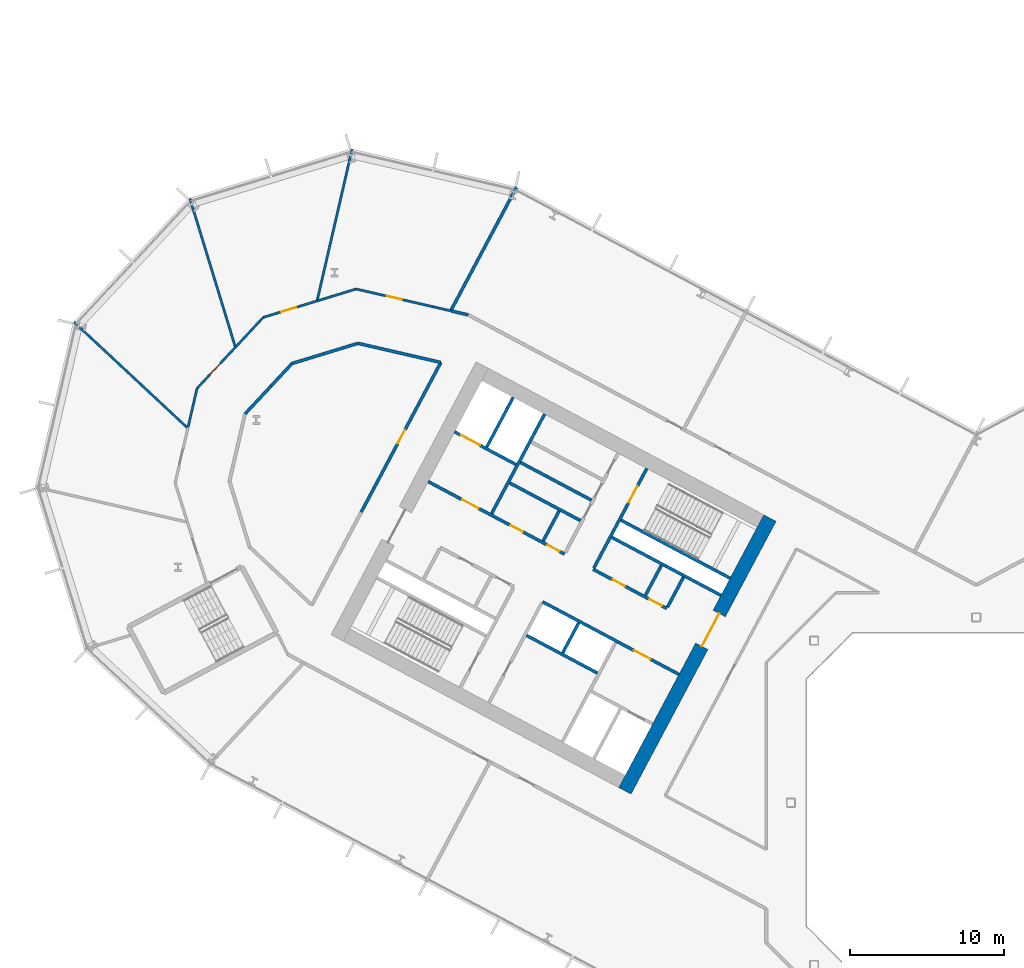
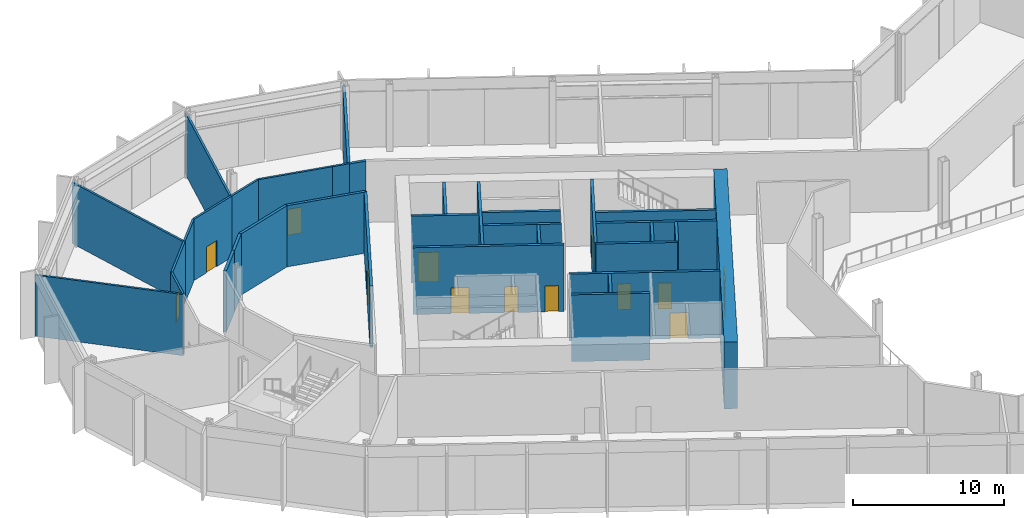
# One storey, part 13 of 30: 34 walls, 13 doors, 13 openings.
"""IFC4 building model written with IfcOpenShell, lengths in metres."""

from ifc_helpers import new_model, si_unit, direction, frame, frame_2d, origin, place, context, subcontext, project, spatial, rectangle, extrude, material, layer, layer_set, type_object, element, fill, save


model = new_model("IFC4")

# Units and contexts
model_context = context("Model", 3, precision=1e-05, world=origin(), true_north=direction((0.0, 1.0)))
body_context = subcontext(model_context, "Body", "Model", "MODEL_VIEW")
ifc_project = project(units=[si_unit("LENGTHUNIT", "METRE"), si_unit("AREAUNIT", "SQUARE_METRE"), si_unit("VOLUMEUNIT", "CUBIC_METRE"), si_unit("PLANEANGLEUNIT", "RADIAN"), si_unit("MASSUNIT", "GRAM", prefix="KILO")], contexts=[model_context])

# Site, building, storey
site_placement = place(None, origin())
site = spatial("IfcSite", under=ifc_project, at=site_placement, CompositionType="ELEMENT")
building_placement = place(site_placement, origin())
building = spatial("IfcBuilding", under=site, at=building_placement, Name="Cormorant Relay Tower", CompositionType="ELEMENT")
storey_placement = place(building_placement, frame((0.0, 0.0, 44.60009765625)))
storey = spatial("IfcBuildingStorey", under=building, at=storey_placement, Name="L08", CompositionType="ELEMENT", Elevation=44.60009765625)

# Walls
ifc_material_1 = material(Name="Concrete 40 MPa", Category="concrete")
ifc_layer_1 = layer(ifc_material_1, 0.199951171875)
ifc_layer_set_1 = layer_set([ifc_layer_1], Name="Core internal wall 200")
wall_type_1 = type_object("IfcWallType", Name="Core internal wall 200", PredefinedType="SOLIDWALL", material=ifc_layer_set_1)
wall_1_placement = place(storey_placement, frame((-20.39013671875, 15.371826171875, 0.0), z_axis=(0.0, 0.0, 1.0), x_axis=(-0.4694473164, -0.882960484464, 0.0)))
element("IfcWall", 1, at=wall_1_placement, inside=storey, type_object=wall_type_1, Name="L08 core A shaft and room wall", PredefinedType="SOLIDWALL", context=body_context, shape_type="SweptSolid", body=[
    extrude(rectangle(XDim=2.199951171875, YDim=0.199951171875, at=frame_2d((1.10009765625, 0.0))), origin(), (0.0, 0.0, 1.0), 5.39990234375),
])
wall_2_placement = place(storey_placement, frame((-25.744140625, 11.64990234375, 0.0), z_axis=(0.0, 0.0, 1.0), x_axis=(-0.469487830541, -0.882938942948, 0.0)))
element("IfcWall", 2, at=wall_2_placement, inside=storey, type_object=wall_type_1, Name="L08 core A shaft and room wall", PredefinedType="SOLIDWALL", context=body_context, shape_type="SweptSolid", body=[
    extrude(rectangle(XDim=2.2001953125, YDim=0.199951171875, at=frame_2d((1.10009765625, 0.0))), origin(), (0.0, 0.0, 1.0), 5.39990234375),
])
wall_3_placement = place(storey_placement, frame((-27.01220703125, 18.892822265625, 0.0), z_axis=(0.0, 0.0, 1.0), x_axis=(-0.4694473164, -0.882960484464, 0.0)))
element("IfcWall", 3, at=wall_3_placement, inside=storey, type_object=wall_type_1, Name="L08 core A shaft and room wall", PredefinedType="SOLIDWALL", context=body_context, shape_type="SweptSolid", body=[
    extrude(rectangle(XDim=2.199951171875, YDim=0.199951171875, at=frame_2d((1.10009765625, 0.0))), origin(), (0.0, 0.0, 1.0), 5.39990234375),
])
wall_4_placement = place(storey_placement, frame((-24.9189453125, 19.592041015625, 0.0), z_axis=(0.0, 0.0, 1.0), x_axis=(-0.882953967957, 0.469459572775, 0.0)))
element("IfcWall", 4, at=wall_4_placement, inside=storey, type_object=wall_type_1, Name="L08 core A shaft and room wall", PredefinedType="SOLIDWALL", context=body_context, shape_type="SweptSolid", body=[
    extrude(rectangle(XDim=5.199951171875, YDim=0.199951171875, at=frame_2d((2.60009765625, 0.0))), origin(), (0.0, 0.0, 1.0), 5.39990234375),
])
ifc_material_2 = material(Name="Concrete 50 MPa", Category="concrete")
ifc_layer_2 = layer(ifc_material_2, 0.199951171875)
ifc_layer_set_2 = layer_set([ifc_layer_2], Name="Core shaft wall 200")
wall_type_2 = type_object("IfcWallType", Name="Core shaft wall 200", PredefinedType="SHEAR", material=ifc_layer_set_2)
wall_5_placement = place(storey_placement, frame((-18.959716796875, 14.611328125, 0.0), z_axis=(0.0, 0.0, 1.0), x_axis=(-0.4694473164, -0.882960484464, 0.0)))
element("IfcWall", 5, at=wall_5_placement, inside=storey, type_object=wall_type_2, Name="L08 core A shaft wall", PredefinedType="SHEAR", context=body_context, shape_type="SweptSolid", body=[
    extrude(rectangle(XDim=2.199951171875, YDim=0.199951171875, at=frame_2d((1.10009765625, 0.0))), origin(), (0.0, 0.0, 1.0), 5.39990234375),
])

# Wall, opening, door
wall_6_placement = place(storey_placement, frame((-21.333251953125, 21.6494140625, 0.0), z_axis=(0.0, 0.0, 1.0), x_axis=(-0.469494272526, -0.882935517501, 0.0)))
wall_6 = element("IfcWall", 6, at=wall_6_placement, inside=storey, type_object=wall_type_2, Name="L08 core A shaft wall", PredefinedType="SHEAR", context=body_context, shape_type="SweptSolid", body=[
    extrude(rectangle(XDim=7.2998046875, YDim=0.199951171875, at=frame_2d((3.64990234375, 0.0))), origin(), (0.0, 0.0, 1.0), 5.39990234375),
])
opening_1_placement = place(wall_6_placement, frame((1.300048828125, 0.0, 0.0)))
opening_1 = element("IfcOpeningElement", 7, at=opening_1_placement, cuts=wall_6, Name="Opening CDB-019", PredefinedType="OPENING", context=body_context, shape_type="SweptSolid", body=[
    extrude(rectangle(XDim=1.199951171875, YDim=2.10009765625, at=frame_2d((0.60009765625, 1.050048828125))), frame((0.0, 0.10986328125, 0.0), z_axis=(0.0, -1.0, 0.0), x_axis=(1.0, 0.0, 0.0)), (0.0, 0.0, 1.0), 0.219970703125),
])
ifc_material_3 = material(Name="Steel fire door", Category="steel")
door_type_1 = type_object("IfcDoorType", Name="Core stair door 1200x2100", OperationType="SINGLE_SWING_LEFT", PredefinedType="DOOR", material=ifc_material_3)
door_1_placement = place(opening_1_placement, origin())
door_1 = element("IfcDoor", 8, at=door_1_placement, inside=storey, type_object=door_type_1, Name="Core stair door 1200x2100", OperationType="SINGLE_SWING_RIGHT", OverallHeight=2.10009765625, OverallWidth=1.199951171875, PredefinedType="DOOR", context=body_context, shape_type="SweptSolid", body=[
    extrude(rectangle(XDim=1.199951171875, YDim=2.10009765625, at=frame_2d((0.60009765625, 1.050048828125))), frame((0.0, 0.02490234375, 0.0), z_axis=(0.0, -1.0, 0.0), x_axis=(1.0, 0.0, 0.0)), (0.0, 0.0, 1.0), 0.050048828125),
])
fill(opening_1, door_1)

# Walls
wall_7_placement = place(storey_placement, frame((-27.955322265625, 25.170654296875, 0.0), z_axis=(0.0, 0.0, 1.0), x_axis=(-0.469480409012, -0.88294288918, 0.0)))
element("IfcWall", 9, at=wall_7_placement, inside=storey, type_object=wall_type_2, Name="L08 core A shaft wall", PredefinedType="SHEAR", context=body_context, shape_type="SweptSolid", body=[
    extrude(rectangle(XDim=7.300048828125, YDim=0.199951171875, at=frame_2d((3.64990234375, 0.0))), origin(), (0.0, 0.0, 1.0), 5.39990234375),
])
wall_8_placement = place(storey_placement, frame((-29.986083984375, 26.250244140625, 0.0), z_axis=(0.0, 0.0, 1.0), x_axis=(-0.469494272526, -0.882935517501, 0.0)))
element("IfcWall", 10, at=wall_8_placement, inside=storey, type_object=wall_type_2, Name="L08 core A shaft wall", PredefinedType="SHEAR", context=body_context, shape_type="SweptSolid", body=[
    extrude(rectangle(XDim=3.64990234375, YDim=0.199951171875, at=frame_2d((1.824951171875, 0.0))), origin(), (0.0, 0.0, 1.0), 5.39990234375),
])
wall_9_placement = place(storey_placement, frame((-15.94189453125, 14.53564453125, 0.0), z_axis=(0.0, 0.0, 1.0), x_axis=(-0.882946947542, 0.469472776449, 0.0)))
element("IfcWall", 11, at=wall_9_placement, inside=storey, type_object=wall_type_2, Name="L08 core A shaft wall", PredefinedType="SHEAR", context=body_context, shape_type="SweptSolid", body=[
    extrude(rectangle(XDim=8.000244140625, YDim=0.199951171875, at=frame_2d((4.0, 0.0))), origin(), (0.0, 0.0, 1.0), 5.39990234375),
])

# Wall, opening, door
wall_10_placement = place(storey_placement, frame((-29.80419921875, 21.906494140625, 0.0), z_axis=(0.0, 0.0, 1.0), x_axis=(-0.882960433586, 0.469447412093, 0.0)))
wall_10 = element("IfcWall", 12, at=wall_10_placement, inside=storey, type_object=wall_type_2, Name="L08 core A shaft wall", PredefinedType="SHEAR", context=body_context, shape_type="SweptSolid", body=[
    extrude(rectangle(XDim=4.5, YDim=0.199951171875, at=frame_2d((2.25, 0.0))), origin(), (0.0, 0.0, 1.0), 5.39990234375),
])
opening_2_placement = place(wall_10_placement, frame((2.64990234375, 0.0, 0.0)))
opening_2 = element("IfcOpeningElement", 13, at=opening_2_placement, cuts=wall_10, Name="Opening LD3-007", PredefinedType="OPENING", context=body_context, shape_type="SweptSolid", body=[
    extrude(rectangle(XDim=1.39990234375, YDim=2.39990234375, at=frame_2d((0.699951171875, 1.199951171875))), frame((0.0, 0.10986328125, 0.0), z_axis=(0.0, -1.0, 0.0), x_axis=(1.0, 0.0, 0.0)), (0.0, 0.0, 1.0), 0.219970703125),
])
ifc_material_4 = material(Name="Stainless steel 316", Category="steel")
door_type_2 = type_object("IfcDoorType", Name="Lift landing door 1400x2400", OperationType="DOUBLE_DOOR_SLIDING", PredefinedType="DOOR", material=ifc_material_4)
door_2_placement = place(opening_2_placement, origin())
door_2 = element("IfcDoor", 14, at=door_2_placement, inside=storey, type_object=door_type_2, Name="SV1 landing door", OperationType="DOUBLE_DOOR_SLIDING", OverallHeight=2.39990234375, OverallWidth=1.39990234375, PredefinedType="DOOR", context=body_context, shape_type="SweptSolid", body=[
    extrude(rectangle(XDim=1.39990234375, YDim=2.39990234375, at=frame_2d((0.699951171875, 1.199951171875))), frame((0.0, 0.02490234375, 0.0), z_axis=(0.0, -1.0, 0.0), x_axis=(1.0, 0.0, 0.0)), (0.0, 0.0, 1.0), 0.050048828125),
])
fill(opening_2, door_2)

# Walls
wall_11_placement = place(storey_placement, frame((-16.52880859375, 13.43212890625, 0.0), z_axis=(0.0, 0.0, 1.0), x_axis=(-0.88295287151, 0.469461634952, 0.0)))
element("IfcWall", 15, at=wall_11_placement, inside=storey, type_object=wall_type_2, Name="L08 core A shaft wall", PredefinedType="SHEAR", context=body_context, shape_type="SweptSolid", body=[
    extrude(rectangle(XDim=7.999755859375, YDim=0.199951171875, at=frame_2d((4.0, 0.0))), origin(), (0.0, 0.0, 1.0), 5.39990234375),
])
wall_12_placement = place(storey_placement, frame((-25.623046875, 18.267578125, 0.0), z_axis=(0.0, 0.0, 1.0), x_axis=(-0.882953967957, 0.469459572775, 0.0)))
element("IfcWall", 16, at=wall_12_placement, inside=storey, type_object=wall_type_2, Name="L08 core A shaft wall", PredefinedType="SHEAR", context=body_context, shape_type="SweptSolid", body=[
    extrude(rectangle(XDim=5.199951171875, YDim=0.199951171875, at=frame_2d((2.60009765625, 0.0))), origin(), (0.0, 0.0, 1.0), 5.39990234375),
])

# Wall, openings, doors
wall_13_placement = place(storey_placement, frame((-20.03955078125, 12.58056640625, 0.0), z_axis=(0.0, 0.0, 1.0), x_axis=(-0.882942972946, 0.469480251476, 0.0)))
wall_13 = element("IfcWall", 17, at=wall_13_placement, inside=storey, type_object=wall_type_2, Name="L08 core A shaft wall", PredefinedType="SHEAR", context=body_context, shape_type="SweptSolid", body=[
    extrude(rectangle(XDim=5.39990234375, YDim=0.199951171875, at=frame_2d((2.699951171875, 0.0))), origin(), (0.0, 0.0, 1.0), 5.39990234375),
])
opening_3_placement = place(wall_13_placement, frame((0.360107421875, 0.0, 0.0)))
opening_3 = element("IfcOpeningElement", 18, at=opening_3_placement, cuts=wall_13, Name="Opening CDD-065", PredefinedType="OPENING", context=body_context, shape_type="SweptSolid", body=[
    extrude(rectangle(XDim=0.89990234375, YDim=2.10009765625, at=frame_2d((0.449951171875, 1.050048828125))), frame((0.0, 0.10986328125, 0.0), z_axis=(0.0, -1.0, 0.0), x_axis=(1.0, 0.0, 0.0)), (0.0, 0.0, 1.0), 0.219970703125),
])
opening_4_placement = place(wall_13_placement, frame((3.06005859375, 0.0, 0.0)))
opening_4 = element("IfcOpeningElement", 19, at=opening_4_placement, cuts=wall_13, Name="Opening CDD-066", PredefinedType="OPENING", context=body_context, shape_type="SweptSolid", body=[
    extrude(rectangle(XDim=0.89990234375, YDim=2.10009765625, at=frame_2d((0.449951171875, 1.050048828125))), frame((0.0, 0.10986328125, 0.0), z_axis=(0.0, -1.0, 0.0), x_axis=(1.0, 0.0, 0.0)), (0.0, 0.0, 1.0), 0.219970703125),
])
ifc_material_5 = material(Name="Steel fire door", Category="steel")
door_type_3 = type_object("IfcDoorType", Name="Core room door 900x2100", OperationType="SINGLE_SWING_LEFT", PredefinedType="DOOR", material=ifc_material_5)
door_3_placement = place(opening_3_placement, frame((0.89990234375, 0.0, 0.0), z_axis=(0.0, 0.0, 1.0), x_axis=(-1.0, 0.0, 0.0)))
door_3 = element("IfcDoor", 20, at=door_3_placement, inside=storey, type_object=door_type_3, Name="Core room door 900x2100", OperationType="SINGLE_SWING_RIGHT", OverallHeight=2.10009765625, OverallWidth=0.89990234375, PredefinedType="DOOR", context=body_context, shape_type="SweptSolid", body=[
    extrude(rectangle(XDim=0.89990234375, YDim=2.10009765625, at=frame_2d((0.449951171875, 1.050048828125))), frame((0.0, 0.02490234375, 0.0), z_axis=(0.0, -1.0, 0.0), x_axis=(1.0, 0.0, 0.0)), (0.0, 0.0, 1.0), 0.050048828125),
])
fill(opening_3, door_3)
door_4_placement = place(opening_4_placement, frame((0.89990234375, 0.0, 0.0), z_axis=(0.0, 0.0, 1.0), x_axis=(-1.0, 0.0, 0.0)))
door_4 = element("IfcDoor", 21, at=door_4_placement, inside=storey, type_object=door_type_3, Name="Core room door 900x2100", OperationType="SINGLE_SWING_RIGHT", OverallHeight=2.10009765625, OverallWidth=0.89990234375, PredefinedType="DOOR", context=body_context, shape_type="SweptSolid", body=[
    extrude(rectangle(XDim=0.89990234375, YDim=2.10009765625, at=frame_2d((0.449951171875, 1.050048828125))), frame((0.0, 0.02490234375, 0.0), z_axis=(0.0, -1.0, 0.0), x_axis=(1.0, 0.0, 0.0)), (0.0, 0.0, 1.0), 0.050048828125),
])
fill(opening_4, door_4)

wall_14_placement = place(storey_placement, frame((-26.66162109375, 16.1015625, 0.0), z_axis=(0.0, 0.0, 1.0), x_axis=(-0.882940221191, 0.469485426614, 0.0)))
wall_14 = element("IfcWall", 22, at=wall_14_placement, inside=storey, type_object=wall_type_2, Name="L08 core A shaft wall", PredefinedType="SHEAR", context=body_context, shape_type="SweptSolid", body=[
    extrude(rectangle(XDim=10.0, YDim=0.199951171875, at=frame_2d((5.0, 0.0))), origin(), (0.0, 0.0, 1.0), 5.39990234375),
])
opening_5_placement = place(wall_14_placement, frame((6.300048828125, 0.0, 0.0)))
opening_5 = element("IfcOpeningElement", 23, at=opening_5_placement, cuts=wall_14, Name="Opening CDC-014", PredefinedType="OPENING", context=body_context, shape_type="SweptSolid", body=[
    extrude(rectangle(XDim=1.199951171875, YDim=2.10009765625, at=frame_2d((0.60009765625, 1.050048828125))), frame((0.0, 0.10986328125, 0.0), z_axis=(0.0, -1.0, 0.0), x_axis=(1.0, 0.0, 0.0)), (0.0, 0.0, 1.0), 0.219970703125),
])
opening_6_placement = place(wall_14_placement, frame((0.360107421875, 0.0, 0.0)))
opening_6 = element("IfcOpeningElement", 24, at=opening_6_placement, cuts=wall_14, Name="Opening CDD-095", PredefinedType="OPENING", context=body_context, shape_type="SweptSolid", body=[
    extrude(rectangle(XDim=0.89990234375, YDim=2.10009765625, at=frame_2d((0.449951171875, 1.050048828125))), frame((0.0, 0.10986328125, 0.0), z_axis=(0.0, -1.0, 0.0), x_axis=(1.0, 0.0, 0.0)), (0.0, 0.0, 1.0), 0.219970703125),
])
opening_7_placement = place(wall_14_placement, frame((3.06005859375, 0.0, 0.0)))
opening_7 = element("IfcOpeningElement", 25, at=opening_7_placement, cuts=wall_14, Name="Opening CDD-068", PredefinedType="OPENING", context=body_context, shape_type="SweptSolid", body=[
    extrude(rectangle(XDim=0.89990234375, YDim=2.10009765625, at=frame_2d((0.449951171875, 1.050048828125))), frame((0.0, 0.10986328125, 0.0), z_axis=(0.0, -1.0, 0.0), x_axis=(1.0, 0.0, 0.0)), (0.0, 0.0, 1.0), 0.219970703125),
])
ifc_material_6 = material(Name="Steel fire door", Category="steel")
door_type_4 = type_object("IfcDoorType", Name="Core lobby door 1200x2100", OperationType="SINGLE_SWING_LEFT", PredefinedType="DOOR", material=ifc_material_6)
door_5_placement = place(opening_5_placement, origin())
door_5 = element("IfcDoor", 26, at=door_5_placement, inside=storey, type_object=door_type_4, Name="Core lobby door 1200x2100", OperationType="SINGLE_SWING_LEFT", OverallHeight=2.10009765625, OverallWidth=1.199951171875, PredefinedType="DOOR", context=body_context, shape_type="SweptSolid", body=[
    extrude(rectangle(XDim=1.199951171875, YDim=2.10009765625, at=frame_2d((0.60009765625, 1.050048828125))), frame((0.0, 0.02490234375, 0.0), z_axis=(0.0, -1.0, 0.0), x_axis=(1.0, 0.0, 0.0)), (0.0, 0.0, 1.0), 0.050048828125),
])
fill(opening_5, door_5)
door_6_placement = place(opening_6_placement, frame((0.89990234375, 0.0, 0.0), z_axis=(0.0, 0.0, 1.0), x_axis=(-1.0, 0.0, 0.0)))
door_6 = element("IfcDoor", 27, at=door_6_placement, inside=storey, type_object=door_type_3, Name="Core room door 900x2100", OperationType="SINGLE_SWING_RIGHT", OverallHeight=2.10009765625, OverallWidth=0.89990234375, PredefinedType="DOOR", context=body_context, shape_type="SweptSolid", body=[
    extrude(rectangle(XDim=0.89990234375, YDim=2.10009765625, at=frame_2d((0.449951171875, 1.050048828125))), frame((0.0, 0.02490234375, 0.0), z_axis=(0.0, -1.0, 0.0), x_axis=(1.0, 0.0, 0.0)), (0.0, 0.0, 1.0), 0.050048828125),
])
fill(opening_6, door_6)
door_7_placement = place(opening_7_placement, frame((0.89990234375, 0.0, 0.0), z_axis=(0.0, 0.0, 1.0), x_axis=(-1.0, 0.0, 0.0)))
door_7 = element("IfcDoor", 28, at=door_7_placement, inside=storey, type_object=door_type_3, Name="Core room door 900x2100", OperationType="SINGLE_SWING_RIGHT", OverallHeight=2.10009765625, OverallWidth=0.89990234375, PredefinedType="DOOR", context=body_context, shape_type="SweptSolid", body=[
    extrude(rectangle(XDim=0.89990234375, YDim=2.10009765625, at=frame_2d((0.449951171875, 1.050048828125))), frame((0.0, 0.02490234375, 0.0), z_axis=(0.0, -1.0, 0.0), x_axis=(1.0, 0.0, 0.0)), (0.0, 0.0, 1.0), 0.050048828125),
])
fill(opening_7, door_7)

# Wall, opening, door
wall_15_placement = place(storey_placement, frame((-19.251708984375, 8.31103515625, 0.0), z_axis=(0.0, 0.0, 1.0), x_axis=(-0.882955722218, 0.469456273365, 0.0)))
wall_15 = element("IfcWall", 29, at=wall_15_placement, inside=storey, type_object=wall_type_2, Name="L08 core A shaft wall", PredefinedType="SHEAR", context=body_context, shape_type="SweptSolid", body=[
    extrude(rectangle(XDim=10.0, YDim=0.199951171875, at=frame_2d((5.0, 0.0))), origin(), (0.0, 0.0, 1.0), 5.39990234375),
])
opening_8_placement = place(wall_15_placement, frame((2.10009765625, 0.0, 0.0)))
opening_8 = element("IfcOpeningElement", 30, at=opening_8_placement, cuts=wall_15, Name="Opening CDC-013", PredefinedType="OPENING", context=body_context, shape_type="SweptSolid", body=[
    extrude(rectangle(XDim=1.199951171875, YDim=2.10009765625, at=frame_2d((0.60009765625, 1.050048828125))), frame((0.0, 0.10986328125, 0.0), z_axis=(0.0, -1.0, 0.0), x_axis=(1.0, 0.0, 0.0)), (0.0, 0.0, 1.0), 0.219970703125),
])
door_8_placement = place(opening_8_placement, origin())
door_8 = element("IfcDoor", 31, at=door_8_placement, inside=storey, type_object=door_type_4, Name="Core lobby door 1200x2100", OperationType="SINGLE_SWING_RIGHT", OverallHeight=2.10009765625, OverallWidth=1.199951171875, PredefinedType="DOOR", context=body_context, shape_type="SweptSolid", body=[
    extrude(rectangle(XDim=1.199951171875, YDim=2.10009765625, at=frame_2d((0.60009765625, 1.050048828125))), frame((0.0, 0.02490234375, 0.0), z_axis=(0.0, -1.0, 0.0), x_axis=(1.0, 0.0, 0.0)), (0.0, 0.0, 1.0), 0.050048828125),
])
fill(opening_8, door_8)

# Wall
wall_16_placement = place(storey_placement, frame((-24.5283203125, 8.3984375, 0.0), z_axis=(0.0, 0.0, 1.0), x_axis=(-0.882953967957, 0.469459572775, 0.0)))
element("IfcWall", 32, at=wall_16_placement, inside=storey, type_object=wall_type_2, Name="L08 core A shaft wall", PredefinedType="SHEAR", context=body_context, shape_type="SweptSolid", body=[
    extrude(rectangle(XDim=5.199951171875, YDim=0.199951171875, at=frame_2d((2.60009765625, 0.0))), origin(), (0.0, 0.0, 1.0), 5.39990234375),
])

# Wall, opening, door
ifc_material_7 = material(Name="Concrete 70 MPa", Category="concrete")
ifc_layer_3 = layer(ifc_material_7, 0.89990234375)
ifc_layer_set_3 = layer_set([ifc_layer_3], Name="Core wall 900")
wall_type_3 = type_object("IfcWallType", Name="Core wall 900", PredefinedType="SHEAR", material=ifc_layer_set_3)
wall_17_placement = place(storey_placement, frame((-13.361572265625, 18.43017578125, 0.0), z_axis=(0.0, 0.0, 1.0), x_axis=(-0.46947084998, -0.882947971864, 0.0)))
wall_17 = element("IfcWall", 33, at=wall_17_placement, inside=storey, type_object=wall_type_3, Name="L08 core A wall", PredefinedType="SHEAR", context=body_context, shape_type="SweptSolid", body=[
    extrude(rectangle(XDim=20.0, YDim=0.89990234375, at=frame_2d((10.0, 0.0))), origin(), (0.0, 0.0, 1.0), 5.39990234375),
])
opening_9_placement = place(wall_17_placement, frame((7.0, 0.0, 0.0)))
opening_9 = element("IfcOpeningElement", 34, at=opening_9_placement, cuts=wall_17, Name="Opening CDA-013", PredefinedType="OPENING", context=body_context, shape_type="SweptSolid", body=[
    extrude(rectangle(XDim=2.39990234375, YDim=2.39990234375, at=frame_2d((1.199951171875, 1.199951171875))), frame((0.0, 0.4599609375, 0.0), z_axis=(0.0, -1.0, 0.0), x_axis=(1.0, 0.0, 0.0)), (0.0, 0.0, 1.0), 0.919921875),
])
ifc_material_8 = material(Name="Steel fire door", Category="steel")
door_type_5 = type_object("IfcDoorType", Name="Core lobby door 2400x2400", OperationType="DOUBLE_DOOR_SINGLE_SWING", PredefinedType="DOOR", material=ifc_material_8)
door_9_placement = place(opening_9_placement, frame((2.39990234375, 0.0, 0.0), z_axis=(0.0, 0.0, 1.0), x_axis=(-1.0, 0.0, 0.0)))
door_9 = element("IfcDoor", 35, at=door_9_placement, inside=storey, type_object=door_type_5, Name="Core lobby door 2400x2400", OperationType="DOUBLE_DOOR_SINGLE_SWING", OverallHeight=2.39990234375, OverallWidth=2.39990234375, PredefinedType="DOOR", context=body_context, shape_type="SweptSolid", body=[
    extrude(rectangle(XDim=2.39990234375, YDim=2.39990234375, at=frame_2d((1.199951171875, 1.199951171875))), frame((0.0, 0.02490234375, 0.0), z_axis=(0.0, -1.0, 0.0), x_axis=(1.0, 0.0, 0.0)), (0.0, 0.0, 1.0), 0.050048828125),
])
fill(opening_9, door_9)

# Walls
ifc_material_9 = material(Name="Fire-rated gypsum board partition")
ifc_layer_4 = layer(ifc_material_9, 0.199951171875)
ifc_layer_set_4 = layer_set([ifc_layer_4], Name="Fire-rated gypsum partition 200")
wall_type_4 = type_object("IfcWallType", Name="Fire-rated gypsum partition 200", PredefinedType="PARTITIONING", material=ifc_layer_set_4)
wall_18_placement = place(storey_placement, frame((-47.35107421875, 25.177001953125, 0.0), z_axis=(0.0, 0.0, 1.0), x_axis=(0.681950982626, 0.731397878925, 0.0)))
element("IfcWall", 36, at=wall_18_placement, inside=storey, type_object=wall_type_4, Name="wall/L08/part/13", PredefinedType="PARTITIONING", context=body_context, shape_type="SweptSolid", body=[
    extrude(rectangle(XDim=2.4638671875, YDim=0.199951171875, at=frame_2d((1.23193359375, 0.0))), origin(), (0.0, 0.0, 1.0), 4.949951171875),
])
wall_19_placement = place(storey_placement, frame((-40.033935546875, 29.7490234375, 0.0), z_axis=(0.0, 0.0, 1.0), x_axis=(-0.956357512161, -0.29219909126, 0.0)))
element("IfcWall", 37, at=wall_19_placement, inside=storey, type_object=wall_type_4, Name="wall/L08/part/19", PredefinedType="PARTITIONING", context=body_context, shape_type="SweptSolid", body=[
    extrude(rectangle(XDim=4.4658203125, YDim=0.199951171875, at=frame_2d((2.23291015625, 0.0))), origin(), (0.0, 0.0, 1.0), 4.949951171875),
])
wall_20_placement = place(storey_placement, frame((-44.304931640625, 28.444091796875, 0.0), z_axis=(0.0, 0.0, 1.0), x_axis=(-0.681931663517, -0.731415891469, 0.0)))
element("IfcWall", 38, at=wall_20_placement, inside=storey, type_object=wall_type_4, Name="wall/L08/part/20", PredefinedType="PARTITIONING", context=body_context, shape_type="SweptSolid", body=[
    extrude(rectangle(XDim=2.003173828125, YDim=0.199951171875, at=frame_2d((1.00146484375, 0.0))), origin(), (0.0, 0.0, 1.0), 4.949951171875),
])
wall_21_placement = place(storey_placement, frame((-34.673095703125, 28.511962890625, 0.0), z_axis=(0.0, 0.0, 1.0), x_axis=(-0.974393439342, 0.224849784003, 0.0)))
element("IfcWall", 39, at=wall_21_placement, inside=storey, type_object=wall_type_4, Name="wall/L08/part/27", PredefinedType="PARTITIONING", context=body_context, shape_type="SweptSolid", body=[
    extrude(rectangle(XDim=5.501708984375, YDim=0.199951171875, at=frame_2d((2.7509765625, 0.0))), origin(), (0.0, 0.0, 1.0), 4.949951171875),
])

# Wall, opening, door
wall_22_placement = place(storey_placement, frame((-34.673095703125, 28.511962890625, 0.0), z_axis=(0.0, 0.0, 1.0), x_axis=(-0.469440333182, -0.882964197226, 0.0)))
wall_22 = element("IfcWall", 40, at=wall_22_placement, inside=storey, type_object=wall_type_4, Name="wall/L08/part/28", PredefinedType="PARTITIONING", context=body_context, shape_type="SweptSolid", body=[
    extrude(rectangle(XDim=10.9765625, YDim=0.199951171875, at=frame_2d((5.48828125, 0.0))), origin(), (0.0, 0.0, 1.0), 4.949951171875),
])
opening_10_placement = place(wall_22_placement, frame((4.949951171875, 0.0, 0.0)))
opening_10 = element("IfcOpeningElement", 41, at=opening_10_placement, cuts=wall_22, Name="Opening FD1-047", PredefinedType="OPENING", context=body_context, shape_type="SweptSolid", body=[
    extrude(rectangle(XDim=1.0, YDim=2.10009765625, at=frame_2d((0.5, 1.050048828125))), frame((0.0, 0.10986328125, 0.0), z_axis=(0.0, -1.0, 0.0), x_axis=(1.0, 0.0, 0.0)), (0.0, 0.0, 1.0), 0.219970703125),
])
ifc_material_10 = material(Name="Fire-rated steel door", Category="steel")
door_type_6 = type_object("IfcDoorType", Name="Fire door 1000 x 2100", OperationType="SINGLE_SWING_LEFT", PredefinedType="DOOR", material=ifc_material_10)
door_10_placement = place(opening_10_placement, frame((1.0, 0.0, 0.0), z_axis=(0.0, 0.0, 1.0), x_axis=(-1.0, 0.0, 0.0)))
door_10 = element("IfcDoor", 42, at=door_10_placement, inside=storey, type_object=door_type_6, Name="door/L08/1", OperationType="SINGLE_SWING_RIGHT", OverallHeight=2.10009765625, OverallWidth=1.0, PredefinedType="DOOR", context=body_context, shape_type="SweptSolid", body=[
    extrude(rectangle(XDim=1.0, YDim=2.10009765625, at=frame_2d((0.5, 1.050048828125))), frame((0.0, 0.02490234375, 0.0), z_axis=(0.0, -1.0, 0.0), x_axis=(1.0, 0.0, 0.0)), (0.0, 0.0, 1.0), 0.050048828125),
])
fill(opening_10, door_10)

# Walls
wall_23_placement = place(storey_placement, frame((-29.779052734375, 39.845947265625, 0.0), z_axis=(0.0, 0.0, 1.0), x_axis=(-0.469479235169, -0.882943513338, 0.0)))
element("IfcWall", 43, at=wall_23_placement, inside=storey, type_object=wall_type_4, Name="wall/L08/part/30", PredefinedType="PARTITIONING", context=body_context, shape_type="SweptSolid", body=[
    extrude(rectangle(XDim=9.052490234375, YDim=0.199951171875, at=frame_2d((4.5263671875, 0.0))), origin(), (0.0, 0.0, 1.0), 4.949951171875),
])
wall_24_placement = place(storey_placement, frame((-32.89404296875, 31.590087890625, 0.0), z_axis=(0.0, 0.0, 1.0), x_axis=(-0.97437296606, 0.22493848717, 0.0)))
element("IfcWall", 44, at=wall_24_placement, inside=storey, type_object=wall_type_4, Name="wall/L08/part/31", PredefinedType="PARTITIONING", context=body_context, shape_type="SweptSolid", body=[
    extrude(rectangle(XDim=1.128662109375, YDim=0.199951171875, at=frame_2d((0.564453125, 0.0))), origin(), (0.0, 0.0, 1.0), 4.949951171875),
])
ifc_material_11 = material(Name="Gypsum board partition")
ifc_layer_5 = layer(ifc_material_11, 0.14990234375)
ifc_layer_set_5 = layer_set([ifc_layer_5], Name="Gypsum board partition 150")
wall_type_5 = type_object("IfcWallType", Name="Gypsum board partition 150", PredefinedType="PARTITIONING", material=ifc_layer_set_5)
wall_25_placement = place(storey_placement, frame((-58.427001953125, 31.125, 0.0), z_axis=(0.0, 0.0, 1.0), x_axis=(0.731473963822, -0.681869371838, 0.0)))
element("IfcWall", 45, at=wall_25_placement, inside=storey, type_object=wall_type_5, Name="wall/L08/part/2", PredefinedType="PARTITIONING", context=body_context, shape_type="SweptSolid", body=[
    extrude(rectangle(XDim=10.079833984375, YDim=0.14990234375, at=frame_2d((5.0400390625, 0.0))), origin(), (0.0, 0.0, 1.0), 4.949951171875),
])

# Wall, opening, door
wall_26_placement = place(storey_placement, frame((-47.93310546875, 29.5380859375, 0.0), z_axis=(0.0, 0.0, 1.0), x_axis=(-0.682088017664, -0.731270084277, 0.0)))
wall_26 = element("IfcWall", 46, at=wall_26_placement, inside=storey, type_object=wall_type_5, Name="wall/L08/part/7", PredefinedType="PARTITIONING", context=body_context, shape_type="SweptSolid", body=[
    extrude(rectangle(XDim=3.703125, YDim=0.14990234375, at=frame_2d((1.8515625, 0.0))), origin(), (0.0, 0.0, 1.0), 4.949951171875),
])
opening_11_placement = place(wall_26_placement, frame((1.486083984375, 0.0, 0.0)))
opening_11 = element("IfcOpeningElement", 47, at=opening_11_placement, cuts=wall_26, Name="Opening D1-019", PredefinedType="OPENING", context=body_context, shape_type="SweptSolid", body=[
    extrude(rectangle(XDim=1.0, YDim=2.10009765625, at=frame_2d((0.5, 1.050048828125))), frame((0.0, 0.0849609375, 0.0), z_axis=(0.0, -1.0, 0.0), x_axis=(1.0, 0.0, 0.0)), (0.0, 0.0, 1.0), 0.169921875),
])
ifc_material_12 = material(Name="Painted steel door", Category="steel")
door_type_7 = type_object("IfcDoorType", Name="Single door 1000 x 2100", OperationType="SINGLE_SWING_LEFT", PredefinedType="DOOR", material=ifc_material_12)
door_11_placement = place(opening_11_placement, frame((1.0, 0.0, 0.0), z_axis=(0.0, 0.0, 1.0), x_axis=(-1.0, 0.0, 0.0)))
door_11 = element("IfcDoor", 48, at=door_11_placement, inside=storey, type_object=door_type_7, Name="door/L08/15", OperationType="SINGLE_SWING_RIGHT", OverallHeight=2.10009765625, OverallWidth=1.0, PredefinedType="DOOR", context=body_context, shape_type="SweptSolid", body=[
    extrude(rectangle(XDim=1.0, YDim=2.10009765625, at=frame_2d((0.5, 1.050048828125))), frame((0.0, 0.02490234375, 0.0), z_axis=(0.0, -1.0, 0.0), x_axis=(1.0, 0.0, 0.0)), (0.0, 0.0, 1.0), 0.050048828125),
])
fill(opening_11, door_11)

# Walls
wall_27_placement = place(storey_placement, frame((-50.458984375, 26.830078125, 0.0), z_axis=(0.0, 0.0, 1.0), x_axis=(-0.225121568864, -0.974330682691, 0.0)))
element("IfcWall", 49, at=wall_27_placement, inside=storey, type_object=wall_type_5, Name="wall/L08/part/8", PredefinedType="PARTITIONING", context=body_context, shape_type="SweptSolid", body=[
    extrude(rectangle(XDim=2.58544921875, YDim=0.14990234375, at=frame_2d((1.292724609375, 0.0))), origin(), (0.0, 0.0, 1.0), 4.949951171875),
])
wall_28_placement = place(storey_placement, frame((-50.922119140625, 39.133056640625, 0.0), z_axis=(0.0, 0.0, 1.0), x_axis=(0.292463432429, -0.956276707178, 0.0)))
element("IfcWall", 50, at=wall_28_placement, inside=storey, type_object=wall_type_5, Name="wall/L08/part/9", PredefinedType="PARTITIONING", context=body_context, shape_type="SweptSolid", body=[
    extrude(rectangle(XDim=10.079833984375, YDim=0.14990234375, at=frame_2d((5.0400390625, 0.0))), origin(), (0.0, 0.0, 1.0), 4.949951171875),
])

# Wall, opening, door
wall_29_placement = place(storey_placement, frame((-42.653076171875, 32.50390625, 0.0), z_axis=(0.0, 0.0, 1.0), x_axis=(-0.95632425254, -0.292307926687, 0.0)))
wall_29 = element("IfcWall", 51, at=wall_29_placement, inside=storey, type_object=wall_type_5, Name="wall/L08/part/17", PredefinedType="PARTITIONING", context=body_context, shape_type="SweptSolid", body=[
    extrude(rectangle(XDim=3.677490234375, YDim=0.14990234375, at=frame_2d((1.8388671875, 0.0))), origin(), (0.0, 0.0, 1.0), 4.949951171875),
])
opening_12_placement = place(wall_29_placement, frame((1.4609375, 0.0, 0.0)))
opening_12 = element("IfcOpeningElement", 52, at=opening_12_placement, cuts=wall_29, Name="Opening D1-018", PredefinedType="OPENING", context=body_context, shape_type="SweptSolid", body=[
    extrude(rectangle(XDim=1.0, YDim=2.10009765625, at=frame_2d((0.5, 1.050048828125))), frame((0.0, 0.0849609375, 0.0), z_axis=(0.0, -1.0, 0.0), x_axis=(1.0, 0.0, 0.0)), (0.0, 0.0, 1.0), 0.169921875),
])
door_12_placement = place(opening_12_placement, frame((1.0, 0.0, 0.0), z_axis=(0.0, 0.0, 1.0), x_axis=(-1.0, 0.0, 0.0)))
door_12 = element("IfcDoor", 53, at=door_12_placement, inside=storey, type_object=door_type_7, Name="door/L08/14", OperationType="SINGLE_SWING_RIGHT", OverallHeight=2.10009765625, OverallWidth=1.0, PredefinedType="DOOR", context=body_context, shape_type="SweptSolid", body=[
    extrude(rectangle(XDim=1.0, YDim=2.10009765625, at=frame_2d((0.5, 1.050048828125))), frame((0.0, 0.02490234375, 0.0), z_axis=(0.0, -1.0, 0.0), x_axis=(1.0, 0.0, 0.0)), (0.0, 0.0, 1.0), 0.050048828125),
])
fill(opening_12, door_12)

# Walls
wall_30_placement = place(storey_placement, frame((-46.169921875, 31.428955078125, 0.0), z_axis=(0.0, 0.0, 1.0), x_axis=(-0.68198172509, -0.731369213628, 0.0)))
element("IfcWall", 54, at=wall_30_placement, inside=storey, type_object=wall_type_5, Name="wall/L08/part/18", PredefinedType="PARTITIONING", context=body_context, shape_type="SweptSolid", body=[
    extrude(rectangle(XDim=2.58544921875, YDim=0.14990234375, at=frame_2d((1.292724609375, 0.0))), origin(), (0.0, 0.0, 1.0), 4.949951171875),
])
wall_31_placement = place(storey_placement, frame((-40.4189453125, 42.31494140625, 0.0), z_axis=(0.0, 0.0, 1.0), x_axis=(-0.224924959868, -0.974376088802, 0.0)))
element("IfcWall", 55, at=wall_31_placement, inside=storey, type_object=wall_type_5, Name="wall/L08/part/24", PredefinedType="PARTITIONING", context=body_context, shape_type="SweptSolid", body=[
    extrude(rectangle(XDim=10.079345703125, YDim=0.14990234375, at=frame_2d((5.03955078125, 0.0))), origin(), (0.0, 0.0, 1.0), 4.949951171875),
])
wall_32_placement = place(storey_placement, frame((-40.156005859375, 33.26708984375, 0.0), z_axis=(0.0, 0.0, 1.0), x_axis=(-0.956331245239, -0.292285048164, 0.0)))
element("IfcWall", 56, at=wall_32_placement, inside=storey, type_object=wall_type_5, Name="wall/L08/part/25", PredefinedType="PARTITIONING", context=body_context, shape_type="SweptSolid", body=[
    extrude(rectangle(XDim=2.611083984375, YDim=0.14990234375, at=frame_2d((1.3056640625, 0.0))), origin(), (0.0, 0.0, 1.0), 4.949951171875),
])

# Wall, opening, door
wall_33_placement = place(storey_placement, frame((-40.156982421875, 33.26708984375, 0.0), z_axis=(0.0, 0.0, 1.0), x_axis=(0.974407195754, -0.224790161846, 0.0)))
wall_33 = element("IfcWall", 57, at=wall_33_placement, inside=storey, type_object=wall_type_5, Name="wall/L08/part/26", PredefinedType="PARTITIONING", context=body_context, shape_type="SweptSolid", body=[
    extrude(rectangle(XDim=5.142578125, YDim=0.14990234375, at=frame_2d((2.5712890625, 0.0))), origin(), (0.0, 0.0, 1.0), 4.949951171875),
])
opening_13_placement = place(wall_33_placement, frame((2.050048828125, 0.0, 0.0)))
opening_13 = element("IfcOpeningElement", 58, at=opening_13_placement, cuts=wall_33, Name="Opening D1-017", PredefinedType="OPENING", context=body_context, shape_type="SweptSolid", body=[
    extrude(rectangle(XDim=1.0, YDim=2.10009765625, at=frame_2d((0.5, 1.050048828125))), frame((0.0, 0.0849609375, 0.0), z_axis=(0.0, -1.0, 0.0), x_axis=(1.0, 0.0, 0.0)), (0.0, 0.0, 1.0), 0.169921875),
])
door_13_placement = place(opening_13_placement, origin())
door_13 = element("IfcDoor", 59, at=door_13_placement, inside=storey, type_object=door_type_7, Name="door/L08/13", OperationType="SINGLE_SWING_RIGHT", OverallHeight=2.10009765625, OverallWidth=1.0, PredefinedType="DOOR", context=body_context, shape_type="SweptSolid", body=[
    extrude(rectangle(XDim=1.0, YDim=2.10009765625, at=frame_2d((0.5, 1.050048828125))), frame((0.0, 0.02490234375, 0.0), z_axis=(0.0, -1.0, 0.0), x_axis=(1.0, 0.0, 0.0)), (0.0, 0.0, 1.0), 0.050048828125),
])
fill(opening_13, door_13)

# Wall
wall_34_placement = place(storey_placement, frame((-35.14599609375, 32.111083984375, 0.0), z_axis=(0.0, 0.0, 1.0), x_axis=(0.974164552701, -0.225839377125, 0.0)))
element("IfcWall", 60, at=wall_34_placement, inside=storey, type_object=wall_type_5, Name="wall/L08/part/29", PredefinedType="PARTITIONING", context=body_context, shape_type="SweptSolid", body=[
    extrude(rectangle(XDim=1.1826171875, YDim=0.14990234375, at=frame_2d((0.59130859375, 0.0))), origin(), (0.0, 0.0, 1.0), 4.949951171875),
])

save(model, "model.ifc")
